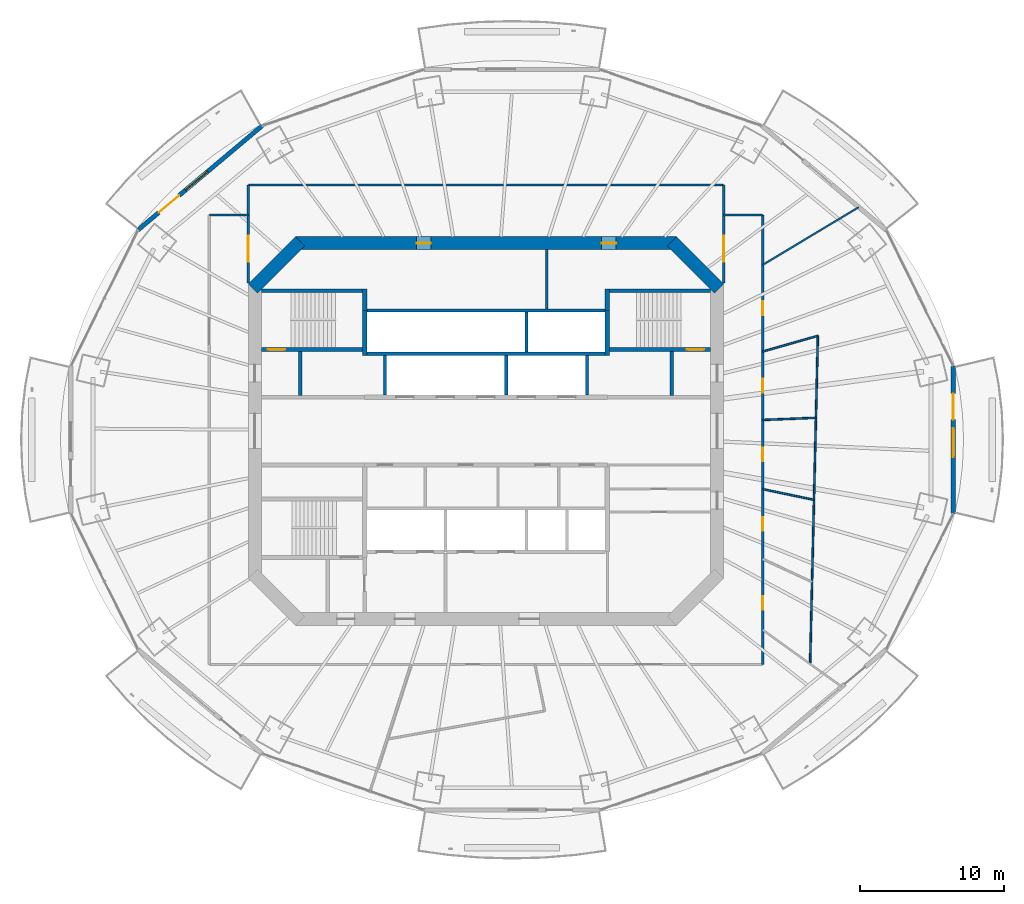
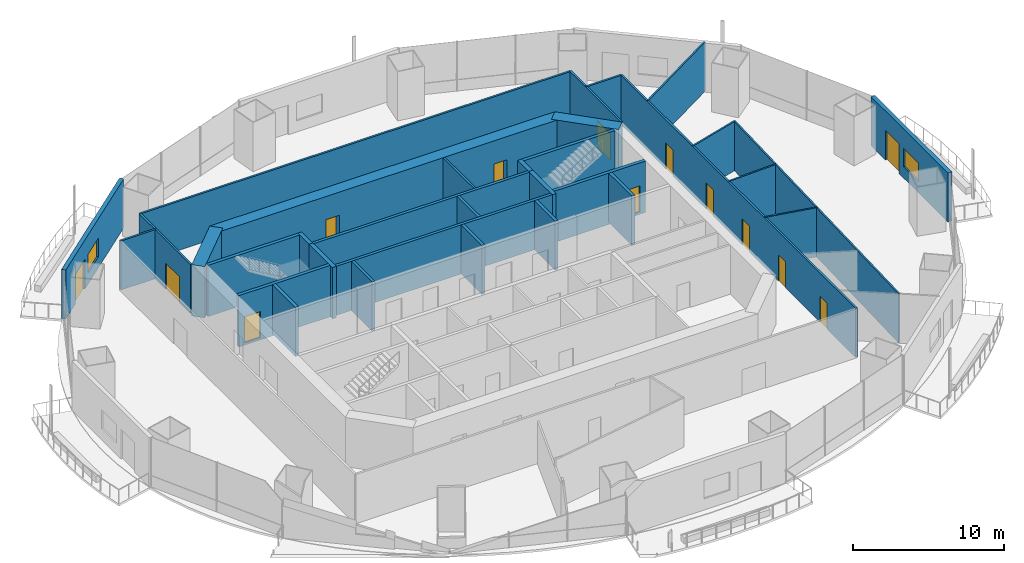
# One storey, part 13 of 20: 33 walls, 13 doors, 2 windows, 15 openings.
"""IFC4 building model written with IfcOpenShell, lengths in metres."""

from ifc_helpers import new_model, si_unit, direction, frame, frame_2d, origin, place, context, subcontext, project, spatial, rectangle, extrude, material, layer, layer_set, type_object, element, fill, save


model = new_model("IFC4")

# Units and contexts
model_context = context("Model", 3, precision=1e-05, world=origin(), true_north=direction((0.0, 1.0)))
body_context = subcontext(model_context, "Body", "Model", "MODEL_VIEW")
ifc_project = project(units=[si_unit("LENGTHUNIT", "METRE"), si_unit("AREAUNIT", "SQUARE_METRE"), si_unit("VOLUMEUNIT", "CUBIC_METRE"), si_unit("PLANEANGLEUNIT", "RADIAN"), si_unit("MASSUNIT", "GRAM", prefix="KILO")], contexts=[model_context])

# Site, building, storey
site_placement = place(None, origin())
site = spatial("IfcSite", under=ifc_project, at=site_placement, CompositionType="ELEMENT")
building_placement = place(site_placement, origin())
building = spatial("IfcBuilding", under=site, at=building_placement, Name="Marenthal Gate Tower", CompositionType="ELEMENT")
storey_placement = place(building_placement, frame((0.0, 0.0, 210.85009765625)))
storey = spatial("IfcBuildingStorey", under=building, at=storey_placement, Name="L46", CompositionType="ELEMENT", Elevation=210.85009765625)

# Wall
ifc_material_1 = material(Name="Concrete 60 MPa", Category="concrete")
ifc_layer_1 = layer(ifc_material_1, 0.89990234375)
ifc_layer_set_1 = layer_set([ifc_layer_1], Name="Core shear wall 900")
wall_type_1 = type_object("IfcWallType", Name="Core shear wall 900", PredefinedType="SHEAR", material=ifc_layer_set_1)
wall_1_placement = place(storey_placement, frame((16.1318359375, 9.8681640625, -0.18017578125), z_axis=(0.0, 0.0, 1.0), x_axis=(-0.707106781187, 0.707106781187, 0.0)))
element("IfcWall", 1, at=wall_1_placement, inside=storey, type_object=wall_type_1, Name="Core wall 03", PredefinedType="SHEAR", context=body_context, shape_type="SweptSolid", body=[
    extrude(rectangle(XDim=4.615478515625, YDim=0.89990234375, at=frame_2d((2.3076171875, 0.0))), origin(), (0.0, 0.0, 1.0), 4.150146484375),
])

# Wall, openings, doors
wall_2_placement = place(storey_placement, frame((13.186279296875, 13.0, -0.18017578125), z_axis=(0.0, 0.0, 1.0), x_axis=(-1.0, 0.0, 0.0)))
wall_2 = element("IfcWall", 2, at=wall_2_placement, inside=storey, type_object=wall_type_1, Name="Core wall 04", PredefinedType="SHEAR", context=body_context, shape_type="SweptSolid", body=[
    extrude(rectangle(XDim=26.37255859375, YDim=0.89990234375, at=frame_2d((13.186279296875, 0.0))), origin(), (0.0, 0.0, 1.0), 4.150146484375),
])
opening_1_placement = place(wall_2_placement, frame((16.993408203125, 0.0, 0.179931640625)))
opening_1 = element("IfcOpeningElement", 3, at=opening_1_placement, cuts=wall_2, Name="Opening D005.05", PredefinedType="OPENING", context=body_context, shape_type="SweptSolid", body=[
    extrude(rectangle(XDim=1.0, YDim=2.10009765625, at=frame_2d((0.5, 1.050048828125))), frame((0.0, 0.4599609375, 0.0), z_axis=(0.0, -1.0, 0.0), x_axis=(1.0, 0.0, 0.0)), (0.0, 0.0, 1.0), 0.919921875),
])
opening_2_placement = place(wall_2_placement, frame((4.179443359375, 0.0, 0.179931640625)))
opening_2 = element("IfcOpeningElement", 4, at=opening_2_placement, cuts=wall_2, Name="Opening D005.06", PredefinedType="OPENING", context=body_context, shape_type="SweptSolid", body=[
    extrude(rectangle(XDim=1.0, YDim=2.10009765625, at=frame_2d((0.5, 1.050048828125))), frame((0.0, 0.4599609375, 0.0), z_axis=(0.0, -1.0, 0.0), x_axis=(1.0, 0.0, 0.0)), (0.0, 0.0, 1.0), 0.919921875),
])
ifc_material_2 = material(Name="Steel fire door", Category="steel")
door_type_1 = type_object("IfcDoorType", Name="Fire door FD 45 1000 x 2100", OperationType="NOTDEFINED", PredefinedType="DOOR", material=ifc_material_2)
door_1_placement = place(opening_1_placement, origin())
door_1 = element("IfcDoor", 5, at=door_1_placement, inside=storey, type_object=door_type_1, Name="Door D005.05", OperationType="SINGLE_SWING_RIGHT", OverallHeight=2.10009765625, OverallWidth=1.0, PredefinedType="DOOR", context=body_context, shape_type="SweptSolid", body=[
    extrude(rectangle(XDim=1.0, YDim=2.10009765625, at=frame_2d((0.5, 1.050048828125))), frame((0.0, 0.02490234375, 0.0), z_axis=(0.0, -1.0, 0.0), x_axis=(1.0, 0.0, 0.0)), (0.0, 0.0, 1.0), 0.050048828125),
])
fill(opening_1, door_1)
door_2_placement = place(opening_2_placement, origin())
door_2 = element("IfcDoor", 6, at=door_2_placement, inside=storey, type_object=door_type_1, Name="Door D005.06", OperationType="SINGLE_SWING_RIGHT", OverallHeight=2.10009765625, OverallWidth=1.0, PredefinedType="DOOR", context=body_context, shape_type="SweptSolid", body=[
    extrude(rectangle(XDim=1.0, YDim=2.10009765625, at=frame_2d((0.5, 1.050048828125))), frame((0.0, 0.02490234375, 0.0), z_axis=(0.0, -1.0, 0.0), x_axis=(1.0, 0.0, 0.0)), (0.0, 0.0, 1.0), 0.050048828125),
])
fill(opening_2, door_2)

# Walls
wall_3_placement = place(storey_placement, frame((-12.8681640625, 13.1318359375, -0.18017578125), z_axis=(0.0, 0.0, 1.0), x_axis=(-0.707106781187, -0.707106781187, 0.0)))
element("IfcWall", 7, at=wall_3_placement, inside=storey, type_object=wall_type_1, Name="Core wall 05", PredefinedType="SHEAR", context=body_context, shape_type="SweptSolid", body=[
    extrude(rectangle(XDim=4.615478515625, YDim=0.89990234375, at=frame_2d((2.3076171875, 0.0))), origin(), (0.0, 0.0, 1.0), 4.150146484375),
])
ifc_material_3 = material(Name="Concrete 50 MPa", Category="concrete")
ifc_layer_2 = layer(ifc_material_3, 0.300048828125)
ifc_layer_set_2 = layer_set([ifc_layer_2], Name="Hoistway shear wall 300")
wall_type_2 = type_object("IfcWallType", Name="Hoistway shear wall 300", PredefinedType="SHEAR", material=ifc_layer_set_2)
for number, where, z_axis, x_axis, name in (
    (8, (-8.39990234375, 5.239990234375, -0.18017578125), (0.0, 0.0, 1.0), (0.0, 1.0, 0.0), "Hoistway wall 32"),
    (9, (8.39990234375, 5.239990234375, -0.18017578125), (0.0, 0.0, 1.0), (0.0, 1.0, 0.0), "Hoistway wall 48"),
):
    element("IfcWall", number, at=place(storey_placement, frame(where, z_axis=z_axis, x_axis=x_axis)), inside=storey, type_object=wall_type_2, Name=name, PredefinedType="SHEAR", context=body_context, shape_type="SweptSolid", body=[
        extrude(rectangle(XDim=3.110107421875, YDim=0.300048828125, at=frame_2d((1.55517578125, 0.0))), origin(), (0.0, 0.0, 1.0), 4.150146484375),
    ])
ifc_material_4 = material(Name="Concrete 40 MPa", Category="concrete")
ifc_layer_3 = layer(ifc_material_4, 0.219970703125)
ifc_layer_set_3 = layer_set([ifc_layer_3], Name="Hoistway wall 220")
wall_type_3 = type_object("IfcWallType", Name="Hoistway wall 220", PredefinedType="STANDARD", material=ifc_layer_set_3)
for number, where, z_axis, x_axis, name in (
    (10, (-8.25, 5.35009765625, 0.0), (0.0, 0.0, 1.0), (1.0, 0.0, 0.0), "Hoistway wall 22"),
    (11, (-8.25, 8.35009765625, 0.0), (0.0, 0.0, 1.0), (1.0, 0.0, 0.0), "Hoistway wall 25"),
):
    element("IfcWall", number, at=place(storey_placement, frame(where, z_axis=z_axis, x_axis=x_axis)), inside=storey, type_object=wall_type_3, Name=name, PredefinedType="STANDARD", context=body_context, shape_type="SweptSolid", body=[
        extrude(rectangle(XDim=16.5, YDim=0.219970703125, at=frame_2d((8.25, 0.0))), origin(), (0.0, 0.0, 1.0), 3.969970703125),
    ])
for number, where, z_axis, x_axis, name in (
    (12, (-7.0, 2.5, 0.0), (0.0, 0.0, 1.0), (0.0, 1.0, 0.0), "Hoistway wall 34"),
    (13, (1.39990234375, 2.5, 0.0), (0.0, 0.0, 1.0), (0.0, 1.0, 0.0), "Hoistway wall 39"),
):
    element("IfcWall", number, at=place(storey_placement, frame(where, z_axis=z_axis, x_axis=x_axis)), inside=storey, type_object=wall_type_3, Name=name, PredefinedType="STANDARD", context=body_context, shape_type="SweptSolid", body=[
        extrude(rectangle(XDim=2.739990234375, YDim=0.219970703125, at=frame_2d((1.3701171875, 0.0))), origin(), (0.0, 0.0, 1.0), 3.969970703125),
    ])
wall_4_placement = place(storey_placement, frame((2.800048828125, 5.4599609375, 0.0), z_axis=(0.0, 0.0, 1.0), x_axis=(0.0, 1.0, 0.0)))
element("IfcWall", 14, at=wall_4_placement, inside=storey, type_object=wall_type_3, Name="Hoistway wall 41", PredefinedType="STANDARD", context=body_context, shape_type="SweptSolid", body=[
    extrude(rectangle(XDim=2.780029296875, YDim=0.219970703125, at=frame_2d((1.39013671875, 0.0))), origin(), (0.0, 0.0, 1.0), 3.969970703125),
])
wall_5_placement = place(storey_placement, frame((7.0, 2.5, 0.0), z_axis=(0.0, 0.0, 1.0), x_axis=(0.0, 1.0, 0.0)))
element("IfcWall", 15, at=wall_5_placement, inside=storey, type_object=wall_type_3, Name="Hoistway wall 45", PredefinedType="STANDARD", context=body_context, shape_type="SweptSolid", body=[
    extrude(rectangle(XDim=2.739990234375, YDim=0.219970703125, at=frame_2d((1.3701171875, 0.0))), origin(), (0.0, 0.0, 1.0), 3.969970703125),
])
ifc_material_5 = material(Name="Gypsum board on steel studs", Category="steel")
ifc_layer_4 = layer(ifc_material_5, 0.1201171875)
ifc_layer_set_4 = layer_set([ifc_layer_4], Name="Partition 120")
wall_type_4 = type_object("IfcWallType", Name="Partition 120", PredefinedType="PARTITIONING", material=ifc_layer_set_4)
wall_6_placement = place(storey_placement, frame((19.14990234375, 11.501220703125, 0.0), z_axis=(0.0, 0.0, 1.0), x_axis=(0.857259644741, 0.514884357404, 0.0)))
element("IfcWall", 16, at=wall_6_placement, inside=storey, type_object=wall_type_4, Name="Partition wall 62", PredefinedType="PARTITIONING", context=body_context, shape_type="SweptSolid", body=[
    extrude(rectangle(XDim=7.759765625, YDim=0.1201171875, at=frame_2d((3.8798828125, 0.0))), origin(), (0.0, 0.0, 1.0), 3.969970703125),
])
wall_7_placement = place(storey_placement, frame((22.431884765625, -16.11669921875, 0.0), z_axis=(0.0, 0.0, 1.0), x_axis=(0.023619180301, 0.999721028248, 0.0)))
element("IfcWall", 17, at=wall_7_placement, inside=storey, type_object=wall_type_4, Name="Partition wall 64", PredefinedType="PARTITIONING", context=body_context, shape_type="SweptSolid", body=[
    extrude(rectangle(XDim=22.7197265625, YDim=0.1201171875, at=frame_2d((11.35986328125, 0.0))), origin(), (0.0, 0.0, 1.0), 3.969970703125),
])
wall_8_placement = place(storey_placement, frame((22.7001953125, -4.760009765625, 0.0), z_axis=(0.0, 0.0, 1.0), x_axis=(-0.978705174883, 0.205270993219, 0.0)))
element("IfcWall", 18, at=wall_8_placement, inside=storey, type_object=wall_type_4, Name="Partition wall 66", PredefinedType="PARTITIONING", context=body_context, shape_type="SweptSolid", body=[
    extrude(rectangle(XDim=3.62744140625, YDim=0.1201171875, at=frame_2d((1.813720703125, 0.0))), origin(), (0.0, 0.0, 1.0), 3.969970703125),
])
wall_9_placement = place(storey_placement, frame((22.83447265625, 0.91845703125, 0.0), z_axis=(0.0, 0.0, 1.0), x_axis=(-0.999192156412, -0.040187492641, 0.0)))
element("IfcWall", 19, at=wall_9_placement, inside=storey, type_object=wall_type_4, Name="Partition wall 67", PredefinedType="PARTITIONING", context=body_context, shape_type="SweptSolid", body=[
    extrude(rectangle(XDim=3.6875, YDim=0.1201171875, at=frame_2d((1.84375, 0.0))), origin(), (0.0, 0.0, 1.0), 3.969970703125),
])
wall_10_placement = place(storey_placement, frame((22.968505859375, 6.5966796875, 0.0), z_axis=(0.0, 0.0, 1.0), x_axis=(-0.961147388984, -0.276035680028, 0.0)))
element("IfcWall", 20, at=wall_10_placement, inside=storey, type_object=wall_type_4, Name="Partition wall 68", PredefinedType="PARTITIONING", context=body_context, shape_type="SweptSolid", body=[
    extrude(rectangle(XDim=3.972900390625, YDim=0.1201171875, at=frame_2d((1.986328125, 0.0))), origin(), (0.0, 0.0, 1.0), 3.969970703125),
])
ifc_material_6 = material(Name="Gypsum board on steel studs", Category="steel")
ifc_layer_5 = layer(ifc_material_6, 0.14990234375)
ifc_layer_set_5 = layer_set([ifc_layer_5], Name="Partition 150")
wall_type_5 = type_object("IfcWallType", Name="Partition 150", PredefinedType="PARTITIONING", material=ifc_layer_set_5)
wall_11_placement = place(storey_placement, frame((4.199951171875, 8.4599609375, 0.0), z_axis=(0.0, 0.0, 1.0), x_axis=(0.0, 1.0, 0.0)))
element("IfcWall", 21, at=wall_11_placement, inside=storey, type_object=wall_type_5, Name="Partition wall 42", PredefinedType="PARTITIONING", context=body_context, shape_type="SweptSolid", body=[
    extrude(rectangle(XDim=4.090087890625, YDim=0.14990234375, at=frame_2d((2.044921875, 0.0))), origin(), (0.0, 0.0, 1.0), 3.969970703125),
])
wall_12_placement = place(storey_placement, frame((-19.14990234375, 14.964111328125, 0.0), z_axis=(0.0, 0.0, 1.0), x_axis=(1.0, 0.0, 0.0)))
element("IfcWall", 22, at=wall_12_placement, inside=storey, type_object=wall_type_5, Name="Partition wall 52", PredefinedType="PARTITIONING", context=body_context, shape_type="SweptSolid", body=[
    extrude(rectangle(XDim=2.699951171875, YDim=0.14990234375, at=frame_2d((1.35009765625, 0.0))), origin(), (0.0, 0.0, 1.0), 3.969970703125),
])

# Wall, opening, door
wall_13_placement = place(storey_placement, frame((-16.449951171875, 10.25, 0.0), z_axis=(0.0, 0.0, 1.0), x_axis=(0.0, 1.0, 0.0)))
wall_13 = element("IfcWall", 23, at=wall_13_placement, inside=storey, type_object=wall_type_5, Name="Partition wall 53", PredefinedType="PARTITIONING", context=body_context, shape_type="SweptSolid", body=[
    extrude(rectangle(XDim=6.77197265625, YDim=0.14990234375, at=frame_2d((3.385986328125, 0.0))), origin(), (0.0, 0.0, 1.0), 3.969970703125),
])
opening_3_placement = place(wall_13_placement, frame((1.45703125, 0.0, 0.0)))
opening_3 = element("IfcOpeningElement", 24, at=opening_3_placement, cuts=wall_13, Name="Opening D014.03", PredefinedType="OPENING", context=body_context, shape_type="SweptSolid", body=[
    extrude(rectangle(XDim=1.800048828125, YDim=2.10009765625, at=frame_2d((0.89990234375, 1.050048828125))), frame((0.0, 0.0849609375, 0.0), z_axis=(0.0, -1.0, 0.0), x_axis=(1.0, 0.0, 0.0)), (0.0, 0.0, 1.0), 0.169921875),
])
ifc_material_7 = material(Name="Timber door", Category="wood")
door_type_2 = type_object("IfcDoorType", Name="Double door 1800 x 2100", OperationType="DOUBLE_DOOR_SINGLE_SWING", PredefinedType="DOOR", material=ifc_material_7)
door_3_placement = place(opening_3_placement, origin())
door_3 = element("IfcDoor", 25, at=door_3_placement, inside=storey, type_object=door_type_2, Name="Door D014.03", OperationType="DOUBLE_DOOR_SINGLE_SWING", OverallHeight=2.10009765625, OverallWidth=1.800048828125, PredefinedType="DOOR", context=body_context, shape_type="SweptSolid", body=[
    extrude(rectangle(XDim=1.800048828125, YDim=2.10009765625, at=frame_2d((0.89990234375, 1.050048828125))), frame((0.0, 0.02490234375, 0.0), z_axis=(0.0, -1.0, 0.0), x_axis=(1.0, 0.0, 0.0)), (0.0, 0.0, 1.0), 0.050048828125),
])
fill(opening_3, door_3)

# Wall
wall_14_placement = place(storey_placement, frame((-16.449951171875, 17.02197265625, 0.0), z_axis=(0.0, 0.0, 1.0), x_axis=(1.0, 0.0, 0.0)))
element("IfcWall", 26, at=wall_14_placement, inside=storey, type_object=wall_type_5, Name="Partition wall 54", PredefinedType="PARTITIONING", context=body_context, shape_type="SweptSolid", body=[
    extrude(rectangle(XDim=32.89990234375, YDim=0.14990234375, at=frame_2d((16.449951171875, 0.0))), origin(), (0.0, 0.0, 1.0), 3.969970703125),
])

# Wall, opening, door
wall_15_placement = place(storey_placement, frame((16.449951171875, 10.25, 0.0), z_axis=(0.0, 0.0, 1.0), x_axis=(0.0, 1.0, 0.0)))
wall_15 = element("IfcWall", 27, at=wall_15_placement, inside=storey, type_object=wall_type_5, Name="Partition wall 58", PredefinedType="PARTITIONING", context=body_context, shape_type="SweptSolid", body=[
    extrude(rectangle(XDim=6.77197265625, YDim=0.14990234375, at=frame_2d((3.385986328125, 0.0))), origin(), (0.0, 0.0, 1.0), 3.969970703125),
])
opening_4_placement = place(wall_15_placement, frame((1.45703125, 0.0, 0.0)))
opening_4 = element("IfcOpeningElement", 28, at=opening_4_placement, cuts=wall_15, Name="Opening D014.04", PredefinedType="OPENING", context=body_context, shape_type="SweptSolid", body=[
    extrude(rectangle(XDim=1.800048828125, YDim=2.10009765625, at=frame_2d((0.89990234375, 1.050048828125))), frame((0.0, 0.0849609375, 0.0), z_axis=(0.0, -1.0, 0.0), x_axis=(1.0, 0.0, 0.0)), (0.0, 0.0, 1.0), 0.169921875),
])
door_4_placement = place(opening_4_placement, origin())
door_4 = element("IfcDoor", 29, at=door_4_placement, inside=storey, type_object=door_type_2, Name="Door D014.04", OperationType="DOUBLE_DOOR_SINGLE_SWING", OverallHeight=2.10009765625, OverallWidth=1.800048828125, PredefinedType="DOOR", context=body_context, shape_type="SweptSolid", body=[
    extrude(rectangle(XDim=1.800048828125, YDim=2.10009765625, at=frame_2d((0.89990234375, 1.050048828125))), frame((0.0, 0.02490234375, 0.0), z_axis=(0.0, -1.0, 0.0), x_axis=(1.0, 0.0, 0.0)), (0.0, 0.0, 1.0), 0.050048828125),
])
fill(opening_4, door_4)

# Wall
wall_16_placement = place(storey_placement, frame((16.449951171875, 14.964111328125, 0.0), z_axis=(0.0, 0.0, 1.0), x_axis=(1.0, 0.0, 0.0)))
element("IfcWall", 30, at=wall_16_placement, inside=storey, type_object=wall_type_5, Name="Partition wall 59", PredefinedType="PARTITIONING", context=body_context, shape_type="SweptSolid", body=[
    extrude(rectangle(XDim=2.699951171875, YDim=0.14990234375, at=frame_2d((1.35009765625, 0.0))), origin(), (0.0, 0.0, 1.0), 3.969970703125),
])

# Wall, openings, doors
wall_17_placement = place(storey_placement, frame((19.14990234375, 14.964111328125, 0.0), z_axis=(0.0, 0.0, 1.0), x_axis=(0.0, -1.0, 0.0)))
wall_17 = element("IfcWall", 31, at=wall_17_placement, inside=storey, type_object=wall_type_5, Name="Partition wall 63", PredefinedType="PARTITIONING", context=body_context, shape_type="SweptSolid", body=[
    extrude(rectangle(XDim=31.114013671875, YDim=0.14990234375, at=frame_2d((15.55712890625, 0.0))), origin(), (0.0, 0.0, 1.0), 3.969970703125),
])
opening_5_placement = place(wall_17_placement, frame((26.39306640625, 0.0, 0.0)))
opening_5 = element("IfcOpeningElement", 32, at=opening_5_placement, cuts=wall_17, Name="Opening D016.02", PredefinedType="OPENING", context=body_context, shape_type="SweptSolid", body=[
    extrude(rectangle(XDim=0.949951171875, YDim=2.10009765625, at=frame_2d((0.47509765625, 1.050048828125))), frame((0.0, 0.0849609375, 0.0), z_axis=(0.0, -1.0, 0.0), x_axis=(1.0, 0.0, 0.0)), (0.0, 0.0, 1.0), 0.169921875),
])
opening_6_placement = place(wall_17_placement, frame((20.926025390625, 0.0, 0.0)))
opening_6 = element("IfcOpeningElement", 33, at=opening_6_placement, cuts=wall_17, Name="Opening D016.03", PredefinedType="OPENING", context=body_context, shape_type="SweptSolid", body=[
    extrude(rectangle(XDim=0.949951171875, YDim=2.10009765625, at=frame_2d((0.47509765625, 1.050048828125))), frame((0.0, 0.0849609375, 0.0), z_axis=(0.0, -1.0, 0.0), x_axis=(1.0, 0.0, 0.0)), (0.0, 0.0, 1.0), 0.169921875),
])
opening_7_placement = place(wall_17_placement, frame((16.112060546875, 0.0, 0.0)))
opening_7 = element("IfcOpeningElement", 34, at=opening_7_placement, cuts=wall_17, Name="Opening D016.04", PredefinedType="OPENING", context=body_context, shape_type="SweptSolid", body=[
    extrude(rectangle(XDim=0.949951171875, YDim=2.10009765625, at=frame_2d((0.47509765625, 1.050048828125))), frame((0.0, 0.0849609375, 0.0), z_axis=(0.0, -1.0, 0.0), x_axis=(1.0, 0.0, 0.0)), (0.0, 0.0, 1.0), 0.169921875),
])
opening_8_placement = place(wall_17_placement, frame((11.35400390625, 0.0, 0.0)))
opening_8 = element("IfcOpeningElement", 35, at=opening_8_placement, cuts=wall_17, Name="Opening D016.05", PredefinedType="OPENING", context=body_context, shape_type="SweptSolid", body=[
    extrude(rectangle(XDim=0.949951171875, YDim=2.10009765625, at=frame_2d((0.47509765625, 1.050048828125))), frame((0.0, 0.0849609375, 0.0), z_axis=(0.0, -1.0, 0.0), x_axis=(1.0, 0.0, 0.0)), (0.0, 0.0, 1.0), 0.169921875),
])
opening_9_placement = place(wall_17_placement, frame((5.989013671875, 0.0, 0.0)))
opening_9 = element("IfcOpeningElement", 36, at=opening_9_placement, cuts=wall_17, Name="Opening D016.06", PredefinedType="OPENING", context=body_context, shape_type="SweptSolid", body=[
    extrude(rectangle(XDim=0.949951171875, YDim=2.10009765625, at=frame_2d((0.47509765625, 1.050048828125))), frame((0.0, 0.0849609375, 0.0), z_axis=(0.0, -1.0, 0.0), x_axis=(1.0, 0.0, 0.0)), (0.0, 0.0, 1.0), 0.169921875),
])
ifc_material_8 = material(Name="Timber door", Category="wood")
door_type_3 = type_object("IfcDoorType", Name="Door 950 x 2100", OperationType="NOTDEFINED", PredefinedType="DOOR", material=ifc_material_8)
door_5_placement = place(opening_5_placement, origin())
door_5 = element("IfcDoor", 37, at=door_5_placement, inside=storey, type_object=door_type_3, Name="Door D016.02", OperationType="SINGLE_SWING_RIGHT", OverallHeight=2.10009765625, OverallWidth=0.949951171875, PredefinedType="DOOR", context=body_context, shape_type="SweptSolid", body=[
    extrude(rectangle(XDim=0.949951171875, YDim=2.10009765625, at=frame_2d((0.47509765625, 1.050048828125))), frame((0.0, 0.02490234375, 0.0), z_axis=(0.0, -1.0, 0.0), x_axis=(1.0, 0.0, 0.0)), (0.0, 0.0, 1.0), 0.050048828125),
])
fill(opening_5, door_5)
door_6_placement = place(opening_6_placement, origin())
door_6 = element("IfcDoor", 38, at=door_6_placement, inside=storey, type_object=door_type_3, Name="Door D016.03", OperationType="SINGLE_SWING_RIGHT", OverallHeight=2.10009765625, OverallWidth=0.949951171875, PredefinedType="DOOR", context=body_context, shape_type="SweptSolid", body=[
    extrude(rectangle(XDim=0.949951171875, YDim=2.10009765625, at=frame_2d((0.47509765625, 1.050048828125))), frame((0.0, 0.02490234375, 0.0), z_axis=(0.0, -1.0, 0.0), x_axis=(1.0, 0.0, 0.0)), (0.0, 0.0, 1.0), 0.050048828125),
])
fill(opening_6, door_6)
door_7_placement = place(opening_7_placement, origin())
door_7 = element("IfcDoor", 39, at=door_7_placement, inside=storey, type_object=door_type_3, Name="Door D016.04", OperationType="SINGLE_SWING_RIGHT", OverallHeight=2.10009765625, OverallWidth=0.949951171875, PredefinedType="DOOR", context=body_context, shape_type="SweptSolid", body=[
    extrude(rectangle(XDim=0.949951171875, YDim=2.10009765625, at=frame_2d((0.47509765625, 1.050048828125))), frame((0.0, 0.02490234375, 0.0), z_axis=(0.0, -1.0, 0.0), x_axis=(1.0, 0.0, 0.0)), (0.0, 0.0, 1.0), 0.050048828125),
])
fill(opening_7, door_7)
door_8_placement = place(opening_8_placement, origin())
door_8 = element("IfcDoor", 40, at=door_8_placement, inside=storey, type_object=door_type_3, Name="Door D016.05", OperationType="SINGLE_SWING_RIGHT", OverallHeight=2.10009765625, OverallWidth=0.949951171875, PredefinedType="DOOR", context=body_context, shape_type="SweptSolid", body=[
    extrude(rectangle(XDim=0.949951171875, YDim=2.10009765625, at=frame_2d((0.47509765625, 1.050048828125))), frame((0.0, 0.02490234375, 0.0), z_axis=(0.0, -1.0, 0.0), x_axis=(1.0, 0.0, 0.0)), (0.0, 0.0, 1.0), 0.050048828125),
])
fill(opening_8, door_8)
door_9_placement = place(opening_9_placement, origin())
door_9 = element("IfcDoor", 41, at=door_9_placement, inside=storey, type_object=door_type_3, Name="Door D016.06", OperationType="SINGLE_SWING_RIGHT", OverallHeight=2.10009765625, OverallWidth=0.949951171875, PredefinedType="DOOR", context=body_context, shape_type="SweptSolid", body=[
    extrude(rectangle(XDim=0.949951171875, YDim=2.10009765625, at=frame_2d((0.47509765625, 1.050048828125))), frame((0.0, 0.02490234375, 0.0), z_axis=(0.0, -1.0, 0.0), x_axis=(1.0, 0.0, 0.0)), (0.0, 0.0, 1.0), 0.050048828125),
])
fill(opening_9, door_9)

# Walls
ifc_material_9 = material(Name="Concrete 40 MPa", Category="concrete")
ifc_layer_6 = layer(ifc_material_9, 0.25)
ifc_layer_set_6 = layer_set([ifc_layer_6], Name="Stair enclosure wall 250")
wall_type_6 = type_object("IfcWallType", Name="Stair enclosure wall 250", PredefinedType="STANDARD", material=ifc_layer_set_6)
for number, where, z_axis, x_axis, name in (
    (42, (-12.85009765625, 2.47509765625, 0.0), (0.0, 0.0, 1.0), (0.0, 1.0, 0.0), "Stair wall 28"),
    (43, (12.85009765625, 2.47509765625, 0.0), (0.0, 0.0, 1.0), (0.0, 1.0, 0.0), "Stair wall 50"),
):
    element("IfcWall", number, at=place(storey_placement, frame(where, z_axis=z_axis, x_axis=x_axis)), inside=storey, type_object=wall_type_6, Name=name, PredefinedType="STANDARD", context=body_context, shape_type="SweptSolid", body=[
        extrude(rectangle(XDim=3.0498046875, YDim=0.25, at=frame_2d((1.52490234375, 0.0))), origin(), (0.0, 0.0, 1.0), 3.969970703125),
    ])

# Wall, opening, door
ifc_material_10 = material(Name="Concrete 50 MPa", Category="concrete")
ifc_layer_7 = layer(ifc_material_10, 0.25)
ifc_layer_set_7 = layer_set([ifc_layer_7], Name="Stair shear wall 250")
wall_type_7 = type_object("IfcWallType", Name="Stair shear wall 250", PredefinedType="SHEAR", material=ifc_layer_set_7)
wall_18_placement = place(storey_placement, frame((-15.550048828125, 5.64990234375, -0.18017578125), z_axis=(0.0, 0.0, 1.0), x_axis=(1.0, 0.0, 0.0)))
wall_18 = element("IfcWall", 44, at=wall_18_placement, inside=storey, type_object=wall_type_7, Name="Stair wall 23", PredefinedType="SHEAR", context=body_context, shape_type="SweptSolid", body=[
    extrude(rectangle(XDim=7.0, YDim=0.25, at=frame_2d((3.5, 0.0))), origin(), (0.0, 0.0, 1.0), 4.150146484375),
])
opening_10_placement = place(wall_18_placement, frame((0.449951171875, 0.0, 0.179931640625)))
opening_10 = element("IfcOpeningElement", 45, at=opening_10_placement, cuts=wall_18, Name="Opening D001.01", PredefinedType="OPENING", context=body_context, shape_type="SweptSolid", body=[
    extrude(rectangle(XDim=1.199951171875, YDim=2.10009765625, at=frame_2d((0.60009765625, 1.050048828125))), frame((0.0, 0.135009765625, 0.0), z_axis=(0.0, -1.0, 0.0), x_axis=(1.0, 0.0, 0.0)), (0.0, 0.0, 1.0), 0.27001953125),
])
ifc_material_11 = material(Name="Steel fire door", Category="steel")
door_type_4 = type_object("IfcDoorType", Name="Fire door FD 90 1200 x 2100", OperationType="NOTDEFINED", PredefinedType="DOOR", material=ifc_material_11)
door_10_placement = place(opening_10_placement, origin())
door_10 = element("IfcDoor", 46, at=door_10_placement, inside=storey, type_object=door_type_4, Name="Door D001.01", OperationType="SINGLE_SWING_RIGHT", OverallHeight=2.10009765625, OverallWidth=1.199951171875, PredefinedType="DOOR", context=body_context, shape_type="SweptSolid", body=[
    extrude(rectangle(XDim=1.199951171875, YDim=2.10009765625, at=frame_2d((0.60009765625, 1.050048828125))), frame((0.0, 0.02490234375, 0.0), z_axis=(0.0, -1.0, 0.0), x_axis=(1.0, 0.0, 0.0)), (0.0, 0.0, 1.0), 0.050048828125),
])
fill(opening_10, door_10)

wall_19_placement = place(storey_placement, frame((8.550048828125, 5.64990234375, -0.18017578125), z_axis=(0.0, 0.0, 1.0), x_axis=(1.0, 0.0, 0.0)))
wall_19 = element("IfcWall", 47, at=wall_19_placement, inside=storey, type_object=wall_type_7, Name="Stair wall 24", PredefinedType="SHEAR", context=body_context, shape_type="SweptSolid", body=[
    extrude(rectangle(XDim=7.0, YDim=0.25, at=frame_2d((3.5, 0.0))), origin(), (0.0, 0.0, 1.0), 4.150146484375),
])
opening_11_placement = place(wall_19_placement, frame((5.35009765625, 0.0, 0.179931640625)))
opening_11 = element("IfcOpeningElement", 48, at=opening_11_placement, cuts=wall_19, Name="Opening D001.02", PredefinedType="OPENING", context=body_context, shape_type="SweptSolid", body=[
    extrude(rectangle(XDim=1.199951171875, YDim=2.10009765625, at=frame_2d((0.60009765625, 1.050048828125))), frame((0.0, 0.135009765625, 0.0), z_axis=(0.0, -1.0, 0.0), x_axis=(1.0, 0.0, 0.0)), (0.0, 0.0, 1.0), 0.27001953125),
])
door_11_placement = place(opening_11_placement, origin())
door_11 = element("IfcDoor", 49, at=door_11_placement, inside=storey, type_object=door_type_4, Name="Door D001.02", OperationType="SINGLE_SWING_RIGHT", OverallHeight=2.10009765625, OverallWidth=1.199951171875, PredefinedType="DOOR", context=body_context, shape_type="SweptSolid", body=[
    extrude(rectangle(XDim=1.199951171875, YDim=2.10009765625, at=frame_2d((0.60009765625, 1.050048828125))), frame((0.0, 0.02490234375, 0.0), z_axis=(0.0, -1.0, 0.0), x_axis=(1.0, 0.0, 0.0)), (0.0, 0.0, 1.0), 0.050048828125),
])
fill(opening_11, door_11)

# Walls
for number, where, z_axis, x_axis, name in (
    (50, (-15.550048828125, 9.699951171875, -0.18017578125), (0.0, 0.0, 1.0), (1.0, 0.0, 0.0), "Stair wall 26"),
    (51, (8.550048828125, 9.699951171875, -0.18017578125), (0.0, 0.0, 1.0), (1.0, 0.0, 0.0), "Stair wall 27"),
):
    element("IfcWall", number, at=place(storey_placement, frame(where, z_axis=z_axis, x_axis=x_axis)), inside=storey, type_object=wall_type_7, Name=name, PredefinedType="SHEAR", context=body_context, shape_type="SweptSolid", body=[
        extrude(rectangle(XDim=7.0, YDim=0.25, at=frame_2d((3.5, 0.0))), origin(), (0.0, 0.0, 1.0), 4.150146484375),
    ])
ifc_material_12 = material(Name="Concrete 50 MPa", Category="concrete")
ifc_layer_8 = layer(ifc_material_12, 0.300048828125)
ifc_layer_set_8 = layer_set([ifc_layer_8], Name="Stair shear wall 300")
wall_type_8 = type_object("IfcWallType", Name="Stair shear wall 300", PredefinedType="SHEAR", material=ifc_layer_set_8)
for number, where, z_axis, x_axis, name in (
    (52, (-8.39990234375, 8.35009765625, -0.18017578125), (0.0, 0.0, 1.0), (0.0, 1.0, 0.0), "Stair wall 33"),
    (53, (8.39990234375, 8.35009765625, -0.18017578125), (0.0, 0.0, 1.0), (0.0, 1.0, 0.0), "Stair wall 49"),
):
    element("IfcWall", number, at=place(storey_placement, frame(where, z_axis=z_axis, x_axis=x_axis)), inside=storey, type_object=wall_type_8, Name=name, PredefinedType="SHEAR", context=body_context, shape_type="SweptSolid", body=[
        extrude(rectangle(XDim=1.474853515625, YDim=0.300048828125, at=frame_2d((0.7373046875, 0.0))), origin(), (0.0, 0.0, 1.0), 4.150146484375),
    ])

# Wall, openings, door, window
ifc_material_13 = material(Name="Terracotta cladding on insulated concrete-block backing", Category="masonry")
ifc_layer_9 = layer(ifc_material_13, 0.300048828125)
ifc_layer_set_9 = layer_set([ifc_layer_9], Name="Terracotta facade wall 300")
wall_type_9 = type_object("IfcWallType", Name="Terracotta facade wall 300", PredefinedType="SOLIDWALL", material=ifc_layer_set_9)
wall_20_placement = place(storey_placement, frame((-15.494873046875, 21.126220703125, 0.0), z_axis=(0.0, 0.0, 1.0), x_axis=(-0.76593385613, -0.642919379109, 0.0)))
wall_20 = element("IfcWall", 54, at=wall_20_placement, inside=storey, type_object=wall_type_9, Name="Terracotta facade wall L46 bay 6", PredefinedType="SOLIDWALL", context=body_context, shape_type="SweptSolid", body=[
    extrude(rectangle(XDim=11.21337890625, YDim=0.300048828125, at=frame_2d((5.606689453125, 0.0))), origin(), (0.0, 0.0, 1.0), 3.969970703125),
])
opening_12_placement = place(wall_20_placement, frame((7.51318359375, 0.0, 0.0)))
opening_12 = element("IfcOpeningElement", 55, at=opening_12_placement, cuts=wall_20, Name="Opening BD-L46-06", PredefinedType="OPENING", context=body_context, shape_type="SweptSolid", body=[
    extrude(rectangle(XDim=1.800048828125, YDim=2.39990234375, at=frame_2d((0.89990234375, 1.199951171875))), frame((0.0, 0.16015625, 0.0), z_axis=(0.0, -1.0, 0.0), x_axis=(1.0, 0.0, 0.0)), (0.0, 0.0, 1.0), 0.320068359375),
])
opening_13_placement = place(wall_20_placement, frame((4.913330078125, 0.0, 0.89990234375)))
opening_13 = element("IfcOpeningElement", 56, at=opening_13_placement, cuts=wall_20, Name="Opening WN2-L46-06", PredefinedType="OPENING", context=body_context, shape_type="SweptSolid", body=[
    extrude(rectangle(XDim=2.0, YDim=1.5, at=frame_2d((1.0, 0.75))), frame((0.0, 0.16015625, 0.0), z_axis=(0.0, -1.0, 0.0), x_axis=(1.0, 0.0, 0.0)), (0.0, 0.0, 1.0), 0.320068359375),
])
ifc_material_14 = material(Name="Aluminium and glass", Category="aluminium")
door_type_5 = type_object("IfcDoorType", Name="Balcony door 1800x2400", OperationType="DOUBLE_DOOR_SINGLE_SWING", PredefinedType="DOOR", material=ifc_material_14)
door_12_placement = place(opening_12_placement, origin())
door_12 = element("IfcDoor", 57, at=door_12_placement, inside=storey, type_object=door_type_5, Name="Balcony door L46 bay 6", OperationType="SINGLE_SWING_LEFT", OverallHeight=2.39990234375, OverallWidth=1.800048828125, PredefinedType="DOOR", context=body_context, shape_type="SweptSolid", body=[
    extrude(rectangle(XDim=1.800048828125, YDim=2.39990234375, at=frame_2d((0.89990234375, 1.199951171875))), frame((0.0, 0.02490234375, 0.0), z_axis=(0.0, -1.0, 0.0), x_axis=(1.0, 0.0, 0.0)), (0.0, 0.0, 1.0), 0.050048828125),
])
fill(opening_12, door_12)
ifc_material_15 = material(Name="Aluminium and glass", Category="aluminium")
window_type = type_object("IfcWindowType", Name="Window 2000x1500", PartitioningType="DOUBLE_PANEL_VERTICAL", PredefinedType="WINDOW", material=ifc_material_15)
window_1_placement = place(opening_13_placement, origin())
window_1 = element("IfcWindow", 58, at=window_1_placement, inside=storey, type_object=window_type, Name="Window L46 bay 6", OverallHeight=1.5, OverallWidth=2.0, PartitioningType="SINGLE_PANEL", PredefinedType="WINDOW", context=body_context, shape_type="SweptSolid", body=[
    extrude(rectangle(XDim=2.0, YDim=1.5, at=frame_2d((1.0, 0.75))), frame((0.0, 0.030029296875, 0.0), z_axis=(0.0, -1.0, 0.0), x_axis=(1.0, 0.0, 0.0)), (0.0, 0.0, 1.0), 0.06005859375),
])
fill(opening_13, window_1)

wall_21_placement = place(storey_placement, frame((32.331787109375, -5.69775390625, 0.0), z_axis=(0.0, 0.0, 1.0), x_axis=(0.0, 1.0, 0.0)))
wall_21 = element("IfcWall", 59, at=wall_21_placement, inside=storey, type_object=wall_type_9, Name="Terracotta facade wall L46 bay 16", PredefinedType="SOLIDWALL", context=body_context, shape_type="SweptSolid", body=[
    extrude(rectangle(XDim=10.195556640625, YDim=0.300048828125, at=frame_2d((5.09765625, 0.0))), origin(), (0.0, 0.0, 1.0), 3.969970703125),
])
opening_14_placement = place(wall_21_placement, frame((6.495361328125, 0.0, 0.0)))
opening_14 = element("IfcOpeningElement", 60, at=opening_14_placement, cuts=wall_21, Name="Opening BD-L46-16", PredefinedType="OPENING", context=body_context, shape_type="SweptSolid", body=[
    extrude(rectangle(XDim=1.800048828125, YDim=2.39990234375, at=frame_2d((0.89990234375, 1.199951171875))), frame((0.0, 0.16015625, 0.0), z_axis=(0.0, -1.0, 0.0), x_axis=(1.0, 0.0, 0.0)), (0.0, 0.0, 1.0), 0.320068359375),
])
opening_15_placement = place(wall_21_placement, frame((3.8955078125, 0.0, 0.89990234375)))
opening_15 = element("IfcOpeningElement", 61, at=opening_15_placement, cuts=wall_21, Name="Opening WN2-L46-16", PredefinedType="OPENING", context=body_context, shape_type="SweptSolid", body=[
    extrude(rectangle(XDim=2.0, YDim=1.5, at=frame_2d((1.0, 0.75))), frame((0.0, 0.16015625, 0.0), z_axis=(0.0, -1.0, 0.0), x_axis=(1.0, 0.0, 0.0)), (0.0, 0.0, 1.0), 0.320068359375),
])
door_13_placement = place(opening_14_placement, origin())
door_13 = element("IfcDoor", 62, at=door_13_placement, inside=storey, type_object=door_type_5, Name="Balcony door L46 bay 16", OperationType="SINGLE_SWING_LEFT", OverallHeight=2.39990234375, OverallWidth=1.800048828125, PredefinedType="DOOR", context=body_context, shape_type="SweptSolid", body=[
    extrude(rectangle(XDim=1.800048828125, YDim=2.39990234375, at=frame_2d((0.89990234375, 1.199951171875))), frame((0.0, 0.02490234375, 0.0), z_axis=(0.0, -1.0, 0.0), x_axis=(1.0, 0.0, 0.0)), (0.0, 0.0, 1.0), 0.050048828125),
])
fill(opening_14, door_13)
window_2_placement = place(opening_15_placement, origin())
window_2 = element("IfcWindow", 63, at=window_2_placement, inside=storey, type_object=window_type, Name="Window L46 bay 16", OverallHeight=1.5, OverallWidth=2.0, PartitioningType="SINGLE_PANEL", PredefinedType="WINDOW", context=body_context, shape_type="SweptSolid", body=[
    extrude(rectangle(XDim=2.0, YDim=1.5, at=frame_2d((1.0, 0.75))), frame((0.0, 0.030029296875, 0.0), z_axis=(0.0, -1.0, 0.0), x_axis=(1.0, 0.0, 0.0)), (0.0, 0.0, 1.0), 0.06005859375),
])
fill(opening_15, window_2)

save(model, "model.ifc")
